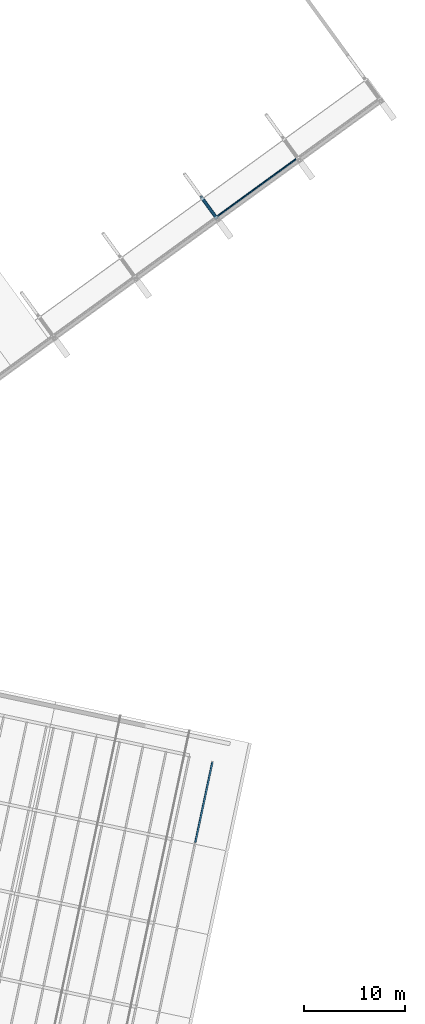
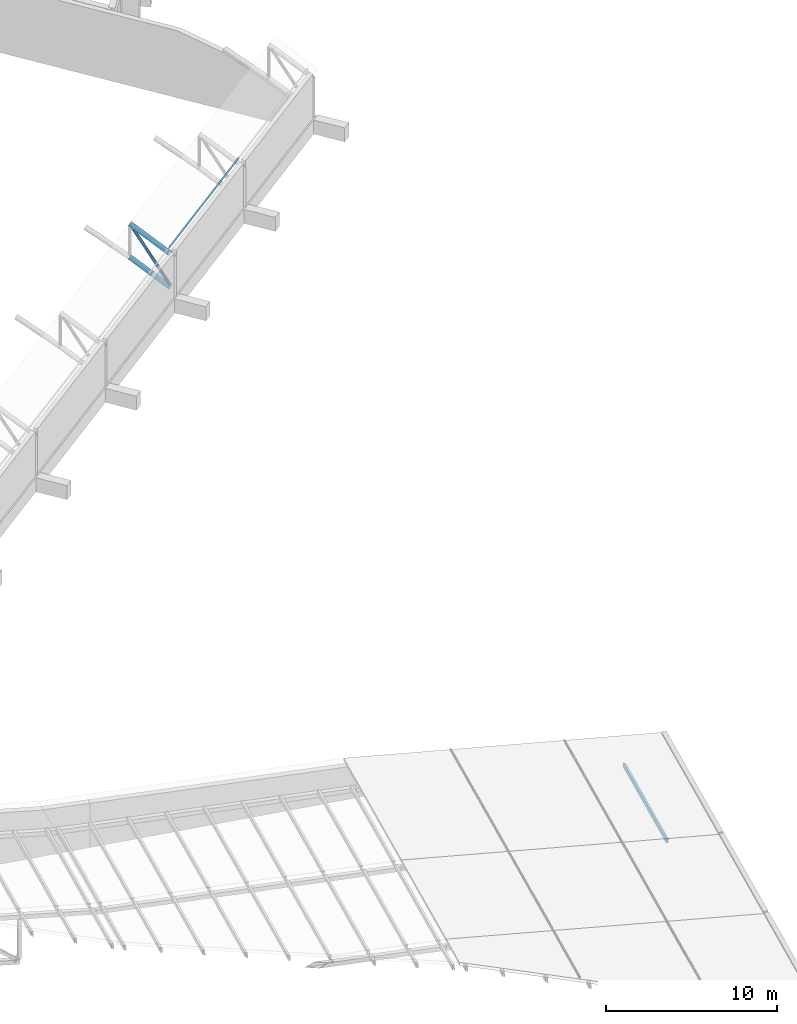
# One storey, part 100 of 196: 4 members, 1 beam.
"""IFC4 building model written with IfcOpenShell, lengths in metres."""

from ifc_helpers import new_model, si_unit, direction, frame, origin, origin_2d, place, context, subcontext, project, spatial, hollow_rectangle, hollow_circle, i_section, extrude, material, material_profile, profile_set, type_object, element, save


model = new_model("IFC4")

# Units and contexts
model_context = context("Model", 3, precision=1e-05, world=origin(), true_north=direction((0.0, 1.0)))
body_context = subcontext(model_context, "Body", "Model", "MODEL_VIEW")
ifc_project = project(units=[si_unit("LENGTHUNIT", "METRE"), si_unit("AREAUNIT", "SQUARE_METRE"), si_unit("VOLUMEUNIT", "CUBIC_METRE"), si_unit("PLANEANGLEUNIT", "RADIAN"), si_unit("MASSUNIT", "GRAM", prefix="KILO")], contexts=[model_context])

# Site, building, storey
site_placement = place(None, origin())
site = spatial("IfcSite", under=ifc_project, at=site_placement, CompositionType="ELEMENT")
building_placement = place(site_placement, origin())
building = spatial("IfcBuilding", under=site, at=building_placement, Name="Okhra Congress Centre", CompositionType="ELEMENT")
storey_placement = place(building_placement, frame((0.0, 0.0, 12.0)))
storey = spatial("IfcBuildingStorey", under=building, at=storey_placement, Name="L02", CompositionType="ELEMENT", Elevation=12.0)

# Members
ifc_material_1 = material(Name="Steel S355J2H", Category="steel")
ifc_material_profile_1 = material_profile(ifc_material_1, hollow_circle(Radius=0.096923828125, WallThickness=0.010009765625, at=origin_2d()), Name="CHS 193.7x10")
ifc_profile_set_1 = profile_set([ifc_material_profile_1], Name="Steel S355J2H")
member_type_1 = type_object("IfcMemberType", Name="CHS 193.7x10", PredefinedType="BRACE", material=ifc_profile_set_1)
member_1_placement = place(storey_placement, frame((262.064453125, 179.767333984375, 1.705810546875), z_axis=(-0.340493544996, 0.468635010563, 0.815135186758), x_axis=(-0.809008555592, -0.587796867106, 0.0)))
element("IfcMember", 1, at=member_1_placement, inside=storey, type_object=member_type_1, Name="Truss 5 diagonal 1", PredefinedType="BRACE", context=body_context, shape_type="SweptSolid", body=[
    extrude(hollow_circle(Radius=0.096923828125, WallThickness=0.010009765625, at=origin_2d()), origin(), (0.0, 0.0, 1.0), 4.145751953125),
])
ifc_material_profile_2 = material_profile(ifc_material_1, hollow_circle(Radius=0.161865234375, WallThickness=0.012451171875, at=origin_2d()), Name="CHS 323.9x12.5")
ifc_profile_set_2 = profile_set([ifc_material_profile_2], Name="Steel S355J2H")
member_type_2 = type_object("IfcMemberType", Name="CHS 323.9x12.5", PredefinedType="CHORD", material=ifc_profile_set_2)
for number, where, z_axis, x_axis, name in (
    (2, (262.0830078125, 179.74169921875, 1.53076171875), (-0.517341175143, 0.71211458024, 0.474606082041), (-0.809038794154, -0.587755246301, 0.0), "Truss 5 bottom chord 1"),
    (3, (262.0830078125, 179.74169921875, 3.930908203125), (-0.517341175143, 0.71211458024, 0.474606082041), (-0.809038794154, -0.587755246301, 0.0), "Truss 5 top chord 1"),
):
    element("IfcMember", number, at=place(storey_placement, frame(where, z_axis=z_axis, x_axis=x_axis)), inside=storey, type_object=member_type_2, Name=name, PredefinedType="CHORD", context=body_context, shape_type="SweptSolid", body=[
        extrude(hollow_circle(Radius=0.161865234375, WallThickness=0.012451171875, at=origin_2d()), origin(), (0.0, 0.0, 1.0), 2.970703125),
    ])

# Beam
ifc_material_2 = material(Name="Steel S355J2", Category="steel")
ifc_material_profile_3 = material_profile(ifc_material_2, i_section(OverallWidth=0.10009765625, OverallDepth=0.199951171875, WebThickness=0.005615234375, FlangeThickness=0.008544921875, FilletRadius=0.011962890625, at=origin_2d()), Name="IPE 200")
ifc_profile_set_3 = profile_set([ifc_material_profile_3], Name="Steel S355J2")
beam_type = type_object("IfcBeamType", Name="IPE 200", PredefinedType="BEAM", material=ifc_profile_set_3)
beam_placement = place(storey_placement, frame((262.010498046875, 179.84130859375, 4.29150390625), z_axis=(0.809018924928, 0.587782595105, 0.0), x_axis=(-0.517367057924, 0.712099583215, 0.474600369743)))
element("IfcBeam", 4, at=beam_placement, inside=storey, type_object=beam_type, Name="Purlin 1.5", PredefinedType="BEAM", context=body_context, shape_type="SweptSolid", body=[
    extrude(i_section(OverallWidth=0.10009765625, OverallDepth=0.199951171875, WebThickness=0.005615234375, FlangeThickness=0.008544921875, FilletRadius=0.011962890625, at=origin_2d()), origin(), (0.0, 0.0, 1.0), 10.000244140625),
])

# Member
ifc_material_profile_4 = material_profile(ifc_material_2, hollow_rectangle(XDim=0.14990234375, YDim=0.25, WallThickness=0.008056640625, at=origin_2d()), Name="RHS 250x150x8")
ifc_profile_set_4 = profile_set([ifc_material_profile_4], Name="Steel S355J2")
member_type_3 = type_object("IfcMemberType", Name="Steel roof purlin RHS 250x150x8", PredefinedType="PURLIN", material=ifc_profile_set_4)
member_2_placement = place(storey_placement, frame((259.951416015625, 117.833251953125, 0.21142578125), z_axis=(0.207930682682, 0.978143563696, 0.0), x_axis=(-0.970852629899, 0.206380798905, 0.121869343405)))
element("IfcMember", 5, at=member_2_placement, inside=storey, type_object=member_type_3, Name="Roof purlin 5.26", PredefinedType="PURLIN", context=body_context, shape_type="SweptSolid", body=[
    extrude(hollow_rectangle(XDim=0.14990234375, YDim=0.25, WallThickness=0.008056640625, at=origin_2d()), origin(), (0.0, 0.0, 1.0), 8.2001953125),
])

save(model, "model.ifc")
